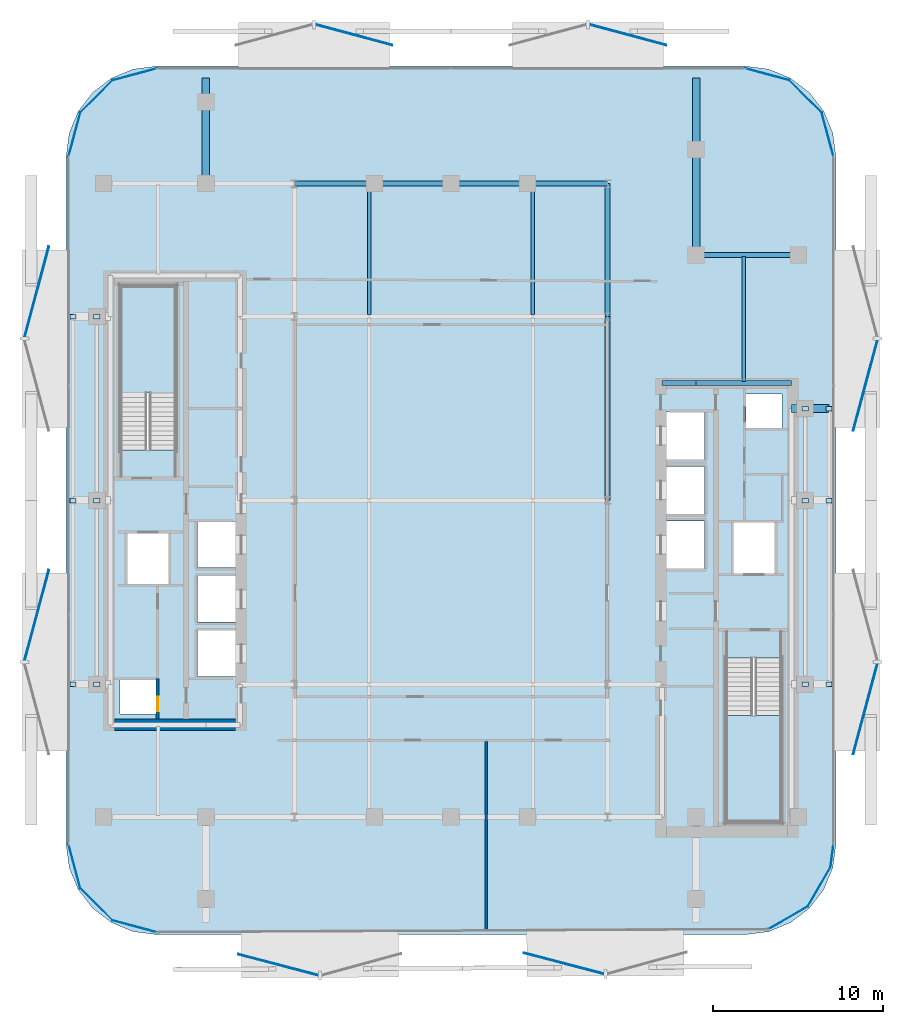
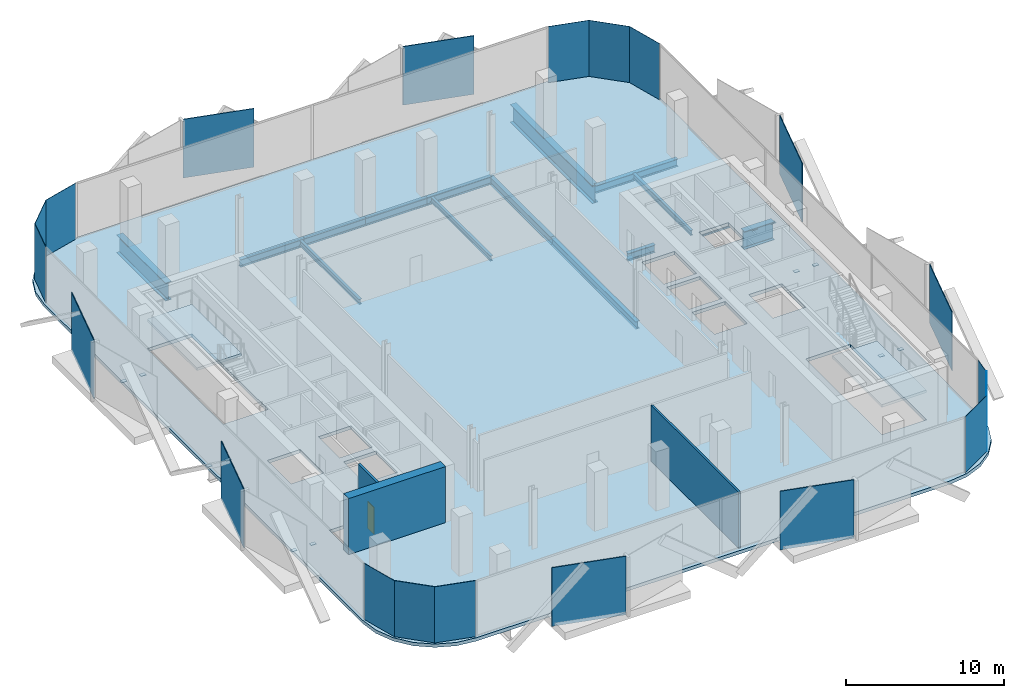
# One storey, part 2 of 14: 32 plates, 15 beams, 3 slabs, 3 walls, 1 door, 1 opening, 2 elements without a shape of their own.
"""IFC4 building model written with IfcOpenShell, lengths in metres."""

from ifc_helpers import new_model, si_unit, direction, frame, frame_2d, origin, origin_2d, place, context, subcontext, project, spatial, polyline, rectangle, i_section, outline, extrude, material, layer, layer_set, material_profile, profile_set, type_object, element, fill, aggregate, save


model = new_model("IFC4")

# Units and contexts
model_context = context("Model", 3, precision=1e-05, world=origin(), true_north=direction((0.0, 1.0)))
body_context = subcontext(model_context, "Body", "Model", "MODEL_VIEW")
ifc_project = project(units=[si_unit("LENGTHUNIT", "METRE"), si_unit("AREAUNIT", "SQUARE_METRE"), si_unit("VOLUMEUNIT", "CUBIC_METRE"), si_unit("PLANEANGLEUNIT", "RADIAN"), si_unit("MASSUNIT", "GRAM", prefix="KILO")], contexts=[model_context])

# Site, building, storey
site_placement = place(None, origin())
site = spatial("IfcSite", under=ifc_project, at=site_placement, CompositionType="ELEMENT")
building_placement = place(site_placement, origin())
building = spatial("IfcBuilding", under=site, at=building_placement, Name="Khairoan Windgate Tower", CompositionType="ELEMENT")
storey_placement = place(building_placement, frame((0.0, 0.0, 160.39990234375)))
storey = spatial("IfcBuildingStorey", under=building, at=storey_placement, Name="L36", CompositionType="ELEMENT", Elevation=160.39990234375)

# Beams
ifc_material_1 = material(Name="Steel S355", Category="steel")
ifc_material_profile_1 = material_profile(ifc_material_1, i_section(OverallWidth=0.300048828125, OverallDepth=0.587890625, WebThickness=0.011962890625, FlangeThickness=0.02001953125, FilletRadius=0.02392578125, at=origin_2d()))
ifc_profile_set_1 = profile_set([ifc_material_profile_1], Name="Steel S355")
beam_type_1 = type_object("IfcBeamType", Name="Beam B-G4 H588x300x12x20", PredefinedType="BEAM", material=ifc_profile_set_1)
beam_1_placement = place(storey_placement, frame((12.39990234375, 6.89990234375, -0.553955078125), z_axis=(1.0, 0.0, 0.0), x_axis=(0.0, 1.0, 0.0)))
element("IfcBeam", 1, at=beam_1_placement, inside=storey, type_object=beam_type_1, Name="L36 E-W Primary Girder 15", PredefinedType="BEAM", context=body_context, shape_type="SweptSolid", body=[
    extrude(i_section(OverallWidth=0.300048828125, OverallDepth=0.587890625, WebThickness=0.011962890625, FlangeThickness=0.02001953125, FilletRadius=0.02392578125, at=origin_2d()), origin(), (0.0, 0.0, 1.0), 2.0),
])
beam_2_placement = place(storey_placement, frame((14.39990234375, 6.89990234375, -0.553955078125), z_axis=(1.0, 0.0, 0.0), x_axis=(0.0, 1.0, 0.0)))
element("IfcBeam", 2, at=beam_2_placement, inside=storey, type_object=beam_type_1, Name="L36 E-W Primary Girder 16", PredefinedType="BEAM", context=body_context, shape_type="SweptSolid", body=[
    extrude(i_section(OverallWidth=0.300048828125, OverallDepth=0.587890625, WebThickness=0.011962890625, FlangeThickness=0.02001953125, FilletRadius=0.02392578125, at=origin_2d()), origin(), (0.0, 0.0, 1.0), 5.60009765625),
])
beam_3_placement = place(storey_placement, frame((14.39990234375, 14.39990234375, -0.553955078125), z_axis=(1.0, 0.0, 0.0), x_axis=(0.0, 1.0, 0.0)))
element("IfcBeam", 3, at=beam_3_placement, inside=storey, type_object=beam_type_1, Name="L36 E-W Primary Girder 21", PredefinedType="BEAM", context=body_context, shape_type="SweptSolid", body=[
    extrude(i_section(OverallWidth=0.300048828125, OverallDepth=0.587890625, WebThickness=0.011962890625, FlangeThickness=0.02001953125, FilletRadius=0.02392578125, at=origin_2d()), origin(), (0.0, 0.0, 1.0), 6.0),
])
beam_4_placement = place(storey_placement, frame((-9.199951171875, 18.60009765625, -0.553955078125), z_axis=(1.0, 0.0, 0.0), x_axis=(0.0, 1.0, 0.0)))
element("IfcBeam", 4, at=beam_4_placement, inside=storey, type_object=beam_type_1, Name="L36 E-W Primary Girder 24", PredefinedType="BEAM", context=body_context, shape_type="SweptSolid", body=[
    extrude(i_section(OverallWidth=0.300048828125, OverallDepth=0.587890625, WebThickness=0.011962890625, FlangeThickness=0.02001953125, FilletRadius=0.02392578125, at=origin_2d()), origin(), (0.0, 0.0, 1.0), 4.699951171875),
])
for number, where, z_axis, x_axis, name in (
    (5, (-4.5, 18.60009765625, -0.553955078125), (1.0, 0.0, 0.0), (0.0, 1.0, 0.0), "L36 E-W Primary Girder 25"),
    (6, (0.0, 18.60009765625, -0.553955078125), (1.0, 0.0, 0.0), (0.0, 1.0, 0.0), "L36 E-W Primary Girder 26"),
):
    element("IfcBeam", number, at=place(storey_placement, frame(where, z_axis=z_axis, x_axis=x_axis)), inside=storey, type_object=beam_type_1, Name=name, PredefinedType="BEAM", context=body_context, shape_type="SweptSolid", body=[
        extrude(i_section(OverallWidth=0.300048828125, OverallDepth=0.587890625, WebThickness=0.011962890625, FlangeThickness=0.02001953125, FilletRadius=0.02392578125, at=origin_2d()), origin(), (0.0, 0.0, 1.0), 4.5),
    ])
beam_5_placement = place(storey_placement, frame((4.5, 18.60009765625, -0.553955078125), z_axis=(1.0, 0.0, 0.0), x_axis=(0.0, 1.0, 0.0)))
element("IfcBeam", 7, at=beam_5_placement, inside=storey, type_object=beam_type_1, Name="L36 E-W Primary Girder 27", PredefinedType="BEAM", context=body_context, shape_type="SweptSolid", body=[
    extrude(i_section(OverallWidth=0.300048828125, OverallDepth=0.587890625, WebThickness=0.011962890625, FlangeThickness=0.02001953125, FilletRadius=0.02392578125, at=origin_2d()), origin(), (0.0, 0.0, 1.0), 4.699951171875),
])
beam_6_placement = place(storey_placement, frame((9.199951171875, 0.0, -0.553955078125), z_axis=(0.0, 1.0, 0.0), x_axis=(-1.0, 0.0, 0.0)))
element("IfcBeam", 8, at=beam_6_placement, inside=storey, type_object=beam_type_1, Name="L36 N-S Primary Beam 45", PredefinedType="BEAM", context=body_context, shape_type="SweptSolid", body=[
    extrude(i_section(OverallWidth=0.300048828125, OverallDepth=0.587890625, WebThickness=0.011962890625, FlangeThickness=0.02001953125, FilletRadius=0.02392578125, at=origin_2d()), origin(), (0.0, 0.0, 1.0), 10.800048828125),
])
beam_7_placement = place(storey_placement, frame((9.199951171875, 10.800048828125, -0.553955078125), z_axis=(0.0, 1.0, 0.0), x_axis=(-1.0, 0.0, 0.0)))
element("IfcBeam", 9, at=beam_7_placement, inside=storey, type_object=beam_type_1, Name="L36 N-S Primary Beam 46", PredefinedType="BEAM", context=body_context, shape_type="SweptSolid", body=[
    extrude(i_section(OverallWidth=0.300048828125, OverallDepth=0.587890625, WebThickness=0.011962890625, FlangeThickness=0.02001953125, FilletRadius=0.02392578125, at=origin_2d()), origin(), (0.0, 0.0, 1.0), 7.800048828125),
])
ifc_material_2 = material(Name="Steel S355", Category="steel")
ifc_material_profile_2 = material_profile(ifc_material_2, i_section(OverallWidth=0.199951171875, OverallDepth=0.39990234375, WebThickness=0.008056640625, FlangeThickness=0.012939453125, FilletRadius=0.01611328125, at=origin_2d()))
ifc_profile_set_2 = profile_set([ifc_material_profile_2], Name="Steel S355")
beam_type_2 = type_object("IfcBeamType", Name="Beam J-S4 H400x200x8x13", PredefinedType="JOIST", material=ifc_profile_set_2)
for number, where, z_axis, x_axis, name in (
    (10, (-4.800048828125, 10.889892578125, -0.4599609375), (0.0, 1.0, 0.0), (-1.0, 0.0, 0.0), "L36 Secondary Floor Joist 06"),
    (11, (4.800048828125, 10.889892578125, -0.4599609375), (0.0, 1.0, 0.0), (-1.0, 0.0, 0.0), "L36 Secondary Floor Joist 10"),
):
    element("IfcBeam", number, at=place(storey_placement, frame(where, z_axis=z_axis, x_axis=x_axis)), inside=storey, type_object=beam_type_2, Name=name, PredefinedType="JOIST", context=body_context, shape_type="SweptSolid", body=[
        extrude(i_section(OverallWidth=0.199951171875, OverallDepth=0.39990234375, WebThickness=0.008056640625, FlangeThickness=0.012939453125, FilletRadius=0.01611328125, at=origin_2d()), origin(), (0.0, 0.0, 1.0), 7.6201171875),
    ])
beam_8_placement = place(storey_placement, frame((17.199951171875, 6.989990234375, -0.4599609375), z_axis=(0.0, 1.0, 0.0), x_axis=(-1.0, 0.0, 0.0)))
element("IfcBeam", 12, at=beam_8_placement, inside=storey, type_object=beam_type_2, Name="L36 Secondary Floor Joist 11", PredefinedType="JOIST", context=body_context, shape_type="SweptSolid", body=[
    extrude(i_section(OverallWidth=0.199951171875, OverallDepth=0.39990234375, WebThickness=0.008056640625, FlangeThickness=0.012939453125, FilletRadius=0.01611328125, at=origin_2d()), origin(), (0.0, 0.0, 1.0), 7.320068359375),
])
ifc_material_3 = material(Name="Steel S355", Category="steel")
ifc_material_profile_3 = material_profile(ifc_material_3, i_section(OverallWidth=0.449951171875, OverallDepth=1.39990234375, WebThickness=0.02392578125, FlangeThickness=0.0400390625, FilletRadius=0.02392578125, at=origin_2d()))
ifc_profile_set_3 = profile_set([ifc_material_profile_3], Name="Steel S355")
beam_type_3 = type_object("IfcBeamType", Name="Setback Transfer Girder STG1 PG1400x450x24x40", PredefinedType="BEAM", material=ifc_profile_set_3)
beam_9_placement = place(storey_placement, frame((20.0, 5.39990234375, -0.9599609375), z_axis=(1.0, 0.0, 0.0), x_axis=(0.0, 1.0, 0.0)))
element("IfcBeam", 13, at=beam_9_placement, inside=storey, type_object=beam_type_3, Name="Zone-3 Setback Transfer Girder STG1-06", PredefinedType="BEAM", context=body_context, shape_type="SweptSolid", body=[
    extrude(i_section(OverallWidth=0.449951171875, OverallDepth=1.39990234375, WebThickness=0.02392578125, FlangeThickness=0.0400390625, FilletRadius=0.02392578125, at=origin_2d()), origin(), (0.0, 0.0, 1.0), 2.199951171875),
])
beam_10_placement = place(storey_placement, frame((-14.39990234375, 18.60009765625, -0.9599609375), z_axis=(0.0, 1.0, 0.0), x_axis=(-1.0, 0.0, 0.0)))
element("IfcBeam", 14, at=beam_10_placement, inside=storey, type_object=beam_type_3, Name="Zone-3 Setback Transfer Girder STG1-08", PredefinedType="BEAM", context=body_context, shape_type="SweptSolid", body=[
    extrude(i_section(OverallWidth=0.449951171875, OverallDepth=1.39990234375, WebThickness=0.02392578125, FlangeThickness=0.0400390625, FilletRadius=0.02392578125, at=origin_2d()), origin(), (0.0, 0.0, 1.0), 6.199951171875),
])
beam_11_placement = place(storey_placement, frame((14.39990234375, 14.39990234375, -0.9599609375), z_axis=(0.0, 1.0, 0.0), x_axis=(-1.0, 0.0, 0.0)))
element("IfcBeam", 15, at=beam_11_placement, inside=storey, type_object=beam_type_3, Name="Zone-3 Setback Transfer Girder STG1-10", PredefinedType="BEAM", context=body_context, shape_type="SweptSolid", body=[
    extrude(i_section(OverallWidth=0.449951171875, OverallDepth=1.39990234375, WebThickness=0.02392578125, FlangeThickness=0.0400390625, FilletRadius=0.02392578125, at=origin_2d()), origin(), (0.0, 0.0, 1.0), 10.400146484375),
])

# Plates
ifc_material_4 = material(Name="Low-E Solar Control Laminated Glass", Category="glass")
ifc_layer_1 = layer(ifc_material_4, 0.030029296875, Name="Low-E Solar Control Laminated Glass")
ifc_layer_set_1 = layer_set([ifc_layer_1], Name="Low-E Solar Control Laminated Glass")
plate_type_1 = type_object("IfcPlateType", Name="Aerodynamic Wind-Corner Curved Glazing Plate", PredefinedType="USERDEFINED", material=ifc_layer_set_1)
plate_1_placement = place(storey_placement, frame((-18.585205078125, -25.013916015625, 0.0), z_axis=(0.0, 0.0, 1.0), x_axis=(-0.966061211211, 0.258313252067, 0.0)))
element("IfcPlate", 16, at=plate_1_placement, inside=storey, type_object=plate_type_1, Name="L36 Aerodynamic Wind-Corner Curved Glazing Panel 2", ObjectType="GLAZING PANEL", PredefinedType="USERDEFINED", context=body_context, shape_type="SweptSolid", body=[
    extrude(rectangle(XDim=2.719482421875, YDim=0.030029296875, at=origin_2d()), origin(), (0.0, 0.0, 1.0), 4.340087890625),
])
plate_2_placement = place(storey_placement, frame((-20.823486328125, -23.723388671875, 0.0), z_axis=(0.0, 0.0, 1.0), x_axis=(-0.707106781187, 0.707106781187, 0.0)))
element("IfcPlate", 17, at=plate_2_placement, inside=storey, type_object=plate_type_1, Name="L36 Aerodynamic Wind-Corner Curved Glazing Panel 3", ObjectType="GLAZING PANEL", PredefinedType="USERDEFINED", context=body_context, shape_type="SweptSolid", body=[
    extrude(rectangle(XDim=2.710205078125, YDim=0.030029296875, at=origin_2d()), origin(), (0.0, 0.0, 1.0), 4.340087890625),
])
for number, where, z_axis, x_axis, name in (
    (18, (-22.11376953125, -21.485107421875, 0.0), (0.0, 0.0, 1.0), (-0.258313252067, 0.966061211211, 0.0), "L36 Aerodynamic Wind-Corner Curved Glazing Panel 4"),
    (19, (-22.11376953125, 21.485107421875, 0.0), (0.0, 0.0, 1.0), (0.258313252067, 0.966061211211, 0.0), "L36 Aerodynamic Wind-Corner Curved Glazing Panel 6"),
):
    element("IfcPlate", number, at=place(storey_placement, frame(where, z_axis=z_axis, x_axis=x_axis)), inside=storey, type_object=plate_type_1, Name=name, ObjectType="GLAZING PANEL", PredefinedType="USERDEFINED", context=body_context, shape_type="SweptSolid", body=[
        extrude(rectangle(XDim=2.719482421875, YDim=0.030029296875, at=origin_2d()), origin(), (0.0, 0.0, 1.0), 4.340087890625),
    ])
plate_3_placement = place(storey_placement, frame((-20.823486328125, 23.723388671875, 0.0), z_axis=(0.0, 0.0, 1.0), x_axis=(0.707106781187, 0.707106781187, 0.0)))
element("IfcPlate", 20, at=plate_3_placement, inside=storey, type_object=plate_type_1, Name="L36 Aerodynamic Wind-Corner Curved Glazing Panel 7", ObjectType="GLAZING PANEL", PredefinedType="USERDEFINED", context=body_context, shape_type="SweptSolid", body=[
    extrude(rectangle(XDim=2.710205078125, YDim=0.030029296875, at=origin_2d()), origin(), (0.0, 0.0, 1.0), 4.340087890625),
])
for number, where, z_axis, x_axis, name in (
    (21, (-18.585205078125, 25.013916015625, 0.0), (0.0, 0.0, 1.0), (0.966061211211, 0.258313252067, 0.0), "L36 Aerodynamic Wind-Corner Curved Glazing Panel 8"),
    (22, (18.585205078125, 25.013916015625, 0.0), (0.0, 0.0, 1.0), (0.966061211211, -0.258313252067, 0.0), "L36 Aerodynamic Wind-Corner Curved Glazing Panel 10"),
):
    element("IfcPlate", number, at=place(storey_placement, frame(where, z_axis=z_axis, x_axis=x_axis)), inside=storey, type_object=plate_type_1, Name=name, ObjectType="GLAZING PANEL", PredefinedType="USERDEFINED", context=body_context, shape_type="SweptSolid", body=[
        extrude(rectangle(XDim=2.719482421875, YDim=0.030029296875, at=origin_2d()), origin(), (0.0, 0.0, 1.0), 4.340087890625),
    ])
plate_4_placement = place(storey_placement, frame((20.823486328125, 23.723388671875, 0.0), z_axis=(0.0, 0.0, 1.0), x_axis=(0.707106781187, -0.707106781187, 0.0)))
element("IfcPlate", 23, at=plate_4_placement, inside=storey, type_object=plate_type_1, Name="L36 Aerodynamic Wind-Corner Curved Glazing Panel 11", ObjectType="GLAZING PANEL", PredefinedType="USERDEFINED", context=body_context, shape_type="SweptSolid", body=[
    extrude(rectangle(XDim=2.710205078125, YDim=0.030029296875, at=origin_2d()), origin(), (0.0, 0.0, 1.0), 4.340087890625),
])
plate_5_placement = place(storey_placement, frame((22.11376953125, 21.485107421875, 0.0), z_axis=(0.0, 0.0, 1.0), x_axis=(0.258313252067, -0.966061211211, 0.0)))
element("IfcPlate", 24, at=plate_5_placement, inside=storey, type_object=plate_type_1, Name="L36 Aerodynamic Wind-Corner Curved Glazing Panel 12", ObjectType="GLAZING PANEL", PredefinedType="USERDEFINED", context=body_context, shape_type="SweptSolid", body=[
    extrude(rectangle(XDim=2.719482421875, YDim=0.030029296875, at=origin_2d()), origin(), (0.0, 0.0, 1.0), 4.340087890625),
])
plate_6_placement = place(storey_placement, frame((22.37158203125, -20.863037109375, 0.0), z_axis=(0.0, 0.0, 1.0), x_axis=(-0.13052619222, -0.991444861374, 0.0)))
element("IfcPlate", 25, at=plate_6_placement, inside=storey, type_object=plate_type_1, Name="L36 Aerodynamic Wind-Corner Curved Glazing Panel 14", ObjectType="GLAZING PANEL", PredefinedType="USERDEFINED", context=body_context, shape_type="SweptSolid", body=[
    extrude(rectangle(XDim=1.39599609375, YDim=0.030029296875, at=origin_2d()), origin(), (0.0, 0.0, 1.0), 4.340087890625),
])
for number, where, z_axis, x_axis, name in (
    (26, (21.615478515625, -22.69140625, 0.0), (0.0, 0.0, 1.0), (-0.5, -0.866025403784, 0.0), "L36 Aerodynamic Wind-Corner Curved Glazing Panel 15"),
    (27, (19.79150390625, -24.515380859375, 0.0), (0.0, 0.0, 1.0), (-0.866025403784, -0.5, 0.0), "L36 Aerodynamic Wind-Corner Curved Glazing Panel 16"),
):
    element("IfcPlate", number, at=place(storey_placement, frame(where, z_axis=z_axis, x_axis=x_axis)), inside=storey, type_object=plate_type_1, Name=name, ObjectType="GLAZING PANEL", PredefinedType="USERDEFINED", context=body_context, shape_type="SweptSolid", body=[
        extrude(rectangle(XDim=2.71044921875, YDim=0.030029296875, at=origin_2d()), origin(), (0.0, 0.0, 1.0), 4.340087890625),
    ])
ifc_material_5 = material(Name="Steel S355", Category="steel")
ifc_layer_2 = layer(ifc_material_5, 0.0400390625, Name="Steel S355")
ifc_layer_set_2 = layer_set([ifc_layer_2], Name="Steel S355")
plate_type_2 = type_object("IfcPlateType", Name="Hollow Section End-Cap Plate PL-CAP40", PredefinedType="SHEET", material=ifc_layer_set_2)
for number, where, z_axis, x_axis, name in (
    (28, (-22.199951171875, -10.784912109375, -0.454833984375), (0.0, 0.0, 1.0), (0.0, 1.0, 0.0), "BM-SP-L36-028 steel end-cap plate 1"),
    (29, (-22.199951171875, -0.014892578125, -0.454833984375), (0.0, 0.0, 1.0), (0.0, 1.0, 0.0), "BM-SP-L36-028 steel end-cap plate 2"),
    (30, (-22.199951171875, 10.784912109375, -0.454833984375), (0.0, 0.0, 1.0), (0.0, 1.0, 0.0), "BM-SP-L36-029 steel end-cap plate 2"),
    (31, (-20.800048828125, -10.784912109375, -0.454833984375), (0.0, 0.0, 1.0), (0.0, 1.0, 0.0), "BM-SP-L36-030 steel end-cap plate 1"),
    (32, (-20.800048828125, -0.014892578125, -0.454833984375), (0.0, 0.0, 1.0), (0.0, 1.0, 0.0), "BM-SP-L36-030 steel end-cap plate 2"),
    (33, (-20.800048828125, 10.784912109375, -0.454833984375), (0.0, 0.0, 1.0), (0.0, 1.0, 0.0), "BM-SP-L36-031 steel end-cap plate 2"),
    (34, (20.800048828125, -10.784912109375, -0.454833984375), (0.0, 0.0, 1.0), (0.0, 1.0, 0.0), "BM-SP-L36-051 steel end-cap plate 1"),
    (35, (20.800048828125, -0.014892578125, -0.454833984375), (0.0, 0.0, 1.0), (0.0, 1.0, 0.0), "BM-SP-L36-051 steel end-cap plate 2"),
    (36, (20.800048828125, 5.385009765625, -0.454833984375), (0.0, 0.0, 1.0), (0.0, 1.0, 0.0), "BM-SP-L36-052 steel end-cap plate 2"),
    (37, (22.199951171875, -10.784912109375, -0.454833984375), (0.0, 0.0, 1.0), (0.0, 1.0, 0.0), "BM-SP-L36-053 steel end-cap plate 1"),
    (38, (22.199951171875, -0.014892578125, -0.454833984375), (0.0, 0.0, 1.0), (0.0, 1.0, 0.0), "BM-SP-L36-053 steel end-cap plate 2"),
    (39, (22.199951171875, 5.385009765625, -0.454833984375), (0.0, 0.0, 1.0), (0.0, 1.0, 0.0), "BM-SP-L36-054 steel end-cap plate 2"),
):
    element("IfcPlate", number, at=place(storey_placement, frame(where, z_axis=z_axis, x_axis=x_axis)), inside=storey, type_object=plate_type_2, Name=name, PredefinedType="SHEET", context=body_context, shape_type="SweptSolid", body=[
        extrude(rectangle(XDim=0.27001953125, YDim=0.3701171875, at=origin_2d()), origin(), (0.0, 0.0, 1.0), 0.0400390625),
    ])
ifc_material_6 = material(Name="Anodised Bronze Aluminium 6063-T6", Category="aluminium")
ifc_layer_3 = layer(ifc_material_6, 0.054931640625, Name="Anodised Bronze Aluminium 6063-T6")
ifc_layer_set_3 = layer_set([ifc_layer_3], Name="Anodised Bronze Aluminium 6063-T6")
plate_type_3 = type_object("IfcPlateType", Name="Perforated Bronze Solar Screen Panel BSP-1", PredefinedType="USERDEFINED", material=ifc_layer_set_3)
for number, where, z_axis, x_axis, name in (
    (40, (6.625732421875, -27.193115234375, -0.099853515625), (0.0, 0.0, 1.0), (-0.967179115616, 0.254095569259, 0.0), "L36 Perforated Bronze Solar Screen Panel 225R"),
    (41, (-10.13720703125, -27.275634765625, -0.099853515625), (0.0, 0.0, 1.0), (-0.967179115616, 0.254095569259, 0.0), "L36 Perforated Bronze Solar Screen Panel 226R"),
):
    element("IfcPlate", number, at=place(storey_placement, frame(where, z_axis=z_axis, x_axis=x_axis)), inside=storey, type_object=plate_type_3, Name=name, ObjectType="SCREEN", PredefinedType="USERDEFINED", context=body_context, shape_type="SweptSolid", body=[
        extrude(rectangle(XDim=4.861083984375, YDim=0.054931640625, at=origin_2d()), origin(), (0.0, 0.0, 1.0), 4.5400390625),
    ])
for number, where, z_axis, x_axis, name in (
    (42, (-24.327392578125, -6.74560546875, -0.099853515625), (0.0, 0.0, 1.0), (0.258819045103, 0.965925826289, 0.0), "L36 Perforated Bronze Solar Screen Panel 227R"),
    (43, (-24.327392578125, 12.2451171875, -0.099853515625), (0.0, 0.0, 1.0), (0.258819045103, 0.965925826289, 0.0), "L36 Perforated Bronze Solar Screen Panel 228R"),
):
    element("IfcPlate", number, at=place(storey_placement, frame(where, z_axis=z_axis, x_axis=x_axis)), inside=storey, type_object=plate_type_3, Name=name, ObjectType="SCREEN", PredefinedType="USERDEFINED", context=body_context, shape_type="SweptSolid", body=[
        extrude(rectangle(XDim=5.507080078125, YDim=0.054931640625, at=origin_2d()), origin(), (0.0, 0.0, 1.0), 4.5400390625),
    ])
for number, where, z_axis, x_axis, name in (
    (44, (-5.701904296875, 27.336181640625, -0.099853515625), (0.0, 0.0, 1.0), (0.965925826289, -0.258819045103, 0.0), "L36 Perforated Bronze Solar Screen Panel 229R"),
    (45, (10.388916015625, 27.336181640625, -0.099853515625), (0.0, 0.0, 1.0), (0.965925826289, -0.258819045103, 0.0), "L36 Perforated Bronze Solar Screen Panel 230R"),
):
    element("IfcPlate", number, at=place(storey_placement, frame(where, z_axis=z_axis, x_axis=x_axis)), inside=storey, type_object=plate_type_3, Name=name, ObjectType="SCREEN", PredefinedType="USERDEFINED", context=body_context, shape_type="SweptSolid", body=[
        extrude(rectangle(XDim=4.666015625, YDim=0.054931640625, at=origin_2d()), origin(), (0.0, 0.0, 1.0), 4.5400390625),
    ])
for number, where, z_axis, x_axis, name in (
    (46, (24.327392578125, 6.74560546875, -0.099853515625), (0.0, 0.0, 1.0), (-0.258819045103, -0.965925826289, 0.0), "L36 Perforated Bronze Solar Screen Panel 231R"),
    (47, (24.327392578125, -12.2451171875, -0.099853515625), (0.0, 0.0, 1.0), (-0.258819045103, -0.965925826289, 0.0), "L36 Perforated Bronze Solar Screen Panel 232R"),
):
    element("IfcPlate", number, at=place(storey_placement, frame(where, z_axis=z_axis, x_axis=x_axis)), inside=storey, type_object=plate_type_3, Name=name, ObjectType="SCREEN", PredefinedType="USERDEFINED", context=body_context, shape_type="SweptSolid", body=[
        extrude(rectangle(XDim=5.507080078125, YDim=0.054931640625, at=origin_2d()), origin(), (0.0, 0.0, 1.0), 4.5400390625),
    ])

# Stair, slab
ifc_material_7 = material(Name="Concrete C40/50", Category="concrete")
stair_type = type_object("IfcStairType", Name="Tower Core Dog-Leg Stair ST-T1 1560mm", PredefinedType="HALF_TURN_STAIR", material=ifc_material_7)
stair_1_placement = place(storey_placement, origin())
stair_1 = element("IfcStair", 48, at=stair_1_placement, inside=storey, type_object=stair_type, Name="L36 Stair ST1", PredefinedType="HALF_TURN_STAIR")
ifc_material_8 = material(Name="Concrete C40/50", Category="concrete")
ifc_layer_4 = layer(ifc_material_8, 0.199951171875, Name="Concrete C40/50")
ifc_layer_set_4 = layer_set([ifc_layer_4], Name="Concrete C40/50")
slab_type_1 = type_object("IfcSlabType", Name="Reinforced Concrete Stair Landing Slab STL-200", PredefinedType="LANDING", material=ifc_layer_set_4)
slab_1_placement = place(storey_placement, frame((0.0, 0.0, 2.10009765625)))
slab_1 = element("IfcSlab", 49, at=slab_1_placement, type_object=slab_type_1, Name="ST1 landing 1", PredefinedType="LANDING", context=body_context, shape_type="SweptSolid", body=[
    extrude(outline(polyline([(16.14990234375, -12.6201171875), (16.14990234375, -18.89990234375), (19.419921875, -18.89990234375), (19.419921875, -12.6201171875), (16.14990234375, -12.6201171875)])), origin(), (0.0, 0.0, 1.0), 0.199951171875),
])
aggregate(stair_1, [slab_1])

stair_2_placement = place(storey_placement, origin())
stair_2 = element("IfcStair", 50, at=stair_2_placement, inside=storey, type_object=stair_type, Name="L36 Stair ST2", PredefinedType="HALF_TURN_STAIR")
slab_2_placement = place(storey_placement, frame((0.0, 0.0, 2.10009765625)))
slab_2 = element("IfcSlab", 51, at=slab_2_placement, type_object=slab_type_1, Name="ST2 landing 1", PredefinedType="LANDING", context=body_context, shape_type="SweptSolid", body=[
    extrude(outline(polyline([(-16.14990234375, 6.320068359375), (-16.14990234375, 12.60009765625), (-19.419921875, 12.60009765625), (-19.419921875, 6.320068359375), (-16.14990234375, 6.320068359375)])), origin(), (0.0, 0.0, 1.0), 0.199951171875),
])
aggregate(stair_2, [slab_2])

# Slab
ifc_material_9 = material(Name="Concrete C40/50", Category="concrete")
ifc_layer_5 = layer(ifc_material_9, 0.260009765625, Name="Concrete C40/50")
ifc_layer_set_5 = layer_set([ifc_layer_5], Name="Concrete C40/50")
slab_type_2 = type_object("IfcSlabType", Name="Tower Composite Floor Slab FS2 260mm", PredefinedType="FLOOR", material=ifc_layer_set_5)
slab_3_placement = place(storey_placement, frame((0.0, 0.0, -0.260009765625)))
element("IfcSlab", 52, at=slab_3_placement, inside=storey, type_object=slab_type_2, Name="L36 Structural Floor Slab", PredefinedType="FLOOR", context=body_context, shape_type="SweptSolid", body=[
    extrude(outline(polyline([(17.300048828125, -25.5), (18.671630859375, -25.3193359375), (19.949951171875, -24.789794921875), (21.047607421875, -23.94775390625), (21.889892578125, -22.85009765625), (22.41943359375, -21.57177734375), (22.60009765625, -20.199951171875), (22.60009765625, 20.199951171875), (22.41943359375, 21.57177734375), (21.889892578125, 22.85009765625), (21.047607421875, 23.94775390625), (19.949951171875, 24.789794921875), (18.671630859375, 25.3193359375), (17.300048828125, 25.5), (-17.300048828125, 25.5), (-18.671630859375, 25.3193359375), (-19.949951171875, 24.789794921875), (-21.047607421875, 23.94775390625), (-21.889892578125, 22.85009765625), (-22.41943359375, 21.57177734375), (-22.60009765625, 20.199951171875), (-22.60009765625, -20.199951171875), (-22.41943359375, -21.57177734375), (-21.889892578125, -22.85009765625), (-21.047607421875, -23.94775390625), (-19.949951171875, -24.789794921875), (-18.671630859375, -25.3193359375), (-17.300048828125, -25.5), (17.300048828125, -25.5)]), holes=[polyline([(16.14990234375, -9.260009765625), (16.14990234375, -18.89990234375), (19.419921875, -18.89990234375), (19.419921875, -9.260009765625), (16.14990234375, -9.260009765625)]), polyline([(-16.14990234375, 2.9599609375), (-16.14990234375, 12.60009765625), (-19.419921875, 12.60009765625), (-19.419921875, 2.9599609375), (-16.14990234375, 2.9599609375)]), polyline([(-14.89990234375, -3.949951171875), (-12.5, -3.949951171875), (-12.5, -1.25), (-14.89990234375, -1.25), (-14.89990234375, -3.949951171875)]), polyline([(-14.89990234375, -7.14990234375), (-12.5, -7.14990234375), (-12.5, -4.449951171875), (-14.89990234375, -4.449951171875), (-14.89990234375, -7.14990234375)]), polyline([(-14.89990234375, -10.35009765625), (-12.5, -10.35009765625), (-12.5, -7.64990234375), (-14.89990234375, -7.64990234375), (-14.89990234375, -10.35009765625)]), polyline([(12.5, 2.39990234375), (14.89990234375, 2.39990234375), (14.89990234375, 5.199951171875), (12.5, 5.199951171875), (12.5, 2.39990234375)]), polyline([(12.5, -0.800048828125), (14.89990234375, -0.800048828125), (14.89990234375, 2.0), (12.5, 2.0), (12.5, -0.800048828125)]), polyline([(12.5, -4.0), (14.89990234375, -4.0), (14.89990234375, -1.199951171875), (12.5, -1.199951171875), (12.5, -4.0)]), polyline([(16.60009765625, -4.300048828125), (19.0, -4.300048828125), (19.0, -1.300048828125), (16.60009765625, -1.300048828125), (16.60009765625, -4.300048828125)]), polyline([(-19.0, -4.89990234375), (-16.60009765625, -4.89990234375), (-16.60009765625, -1.89990234375), (-19.0, -1.89990234375), (-19.0, -4.89990234375)]), polyline([(-19.449951171875, -12.550048828125), (-17.31005859375, -12.550048828125), (-17.31005859375, -10.550048828125), (-19.449951171875, -10.550048828125), (-19.449951171875, -12.550048828125)]), polyline([(17.31005859375, 4.25), (19.449951171875, 4.25), (19.449951171875, 6.25), (17.31005859375, 6.25), (17.31005859375, 4.25)])]), origin(), (0.0, 0.0, 1.0), 0.260009765625),
])

# Wall
ifc_material_10 = material(Name="Acoustic Fire-Rated Gypsum Partition", Category="gypsum")
ifc_layer_6 = layer(ifc_material_10, 0.139892578125, Name="Acoustic Fire-Rated Gypsum Partition")
ifc_layer_set_6 = layer_set([ifc_layer_6], Name="Acoustic Fire-Rated Gypsum Partition")
wall_type_1 = type_object("IfcWallType", Name="Inter-Tenancy Compartment Wall", PredefinedType="PARTITIONING", material=ifc_layer_set_6)
wall_1_placement = place(storey_placement, frame((2.080078125, -25.259521484375, 0.0), z_axis=(0.0, 0.0, 1.0), x_axis=(0.0, 1.0, 0.0)))
element("IfcWall", 53, at=wall_1_placement, inside=storey, type_object=wall_type_1, Name="L36 Interior Partition 020", PredefinedType="PARTITIONING", context=body_context, shape_type="SweptSolid", body=[
    extrude(rectangle(XDim=11.1044921875, YDim=0.139892578125, at=frame_2d((5.55224609375, 0.0))), origin(), (0.0, 0.0, 1.0), 4.340087890625),
])

# Wall, opening, door
ifc_material_11 = material(Name="Concrete C40/50", Category="concrete")
ifc_layer_7 = layer(ifc_material_11, 0.159912109375, Name="Concrete C40/50")
ifc_layer_set_7 = layer_set([ifc_layer_7], Name="Concrete C40/50")
wall_type_2 = type_object("IfcWallType", Name="Plant and Refuge Compartment Wall", PredefinedType="PARTITIONING", material=ifc_layer_set_7)
wall_2_placement = place(storey_placement, frame((-17.22998046875, -12.85009765625, 0.0), z_axis=(0.0, 0.0, 1.0), x_axis=(0.0, 1.0, 0.0)))
wall_2 = element("IfcWall", 54, at=wall_2_placement, inside=storey, type_object=wall_type_2, Name="L36 Interior Partition 001", PredefinedType="PARTITIONING", context=body_context, shape_type="SweptSolid", body=[
    extrude(rectangle(XDim=2.380126953125, YDim=0.159912109375, at=frame_2d((1.18994140625, 0.0))), origin(), (0.0, 0.0, 1.0), 4.340087890625),
])
opening_placement = place(wall_2_placement, frame((0.4599609375, 0.0, 0.0)))
opening = element("IfcOpeningElement", 55, at=opening_placement, cuts=wall_2, Name="Opening FD-SRV", PredefinedType="OPENING", context=body_context, shape_type="SweptSolid", body=[
    extrude(rectangle(XDim=0.85009765625, YDim=2.10009765625, at=frame_2d((0.425048828125, 1.050048828125))), frame((0.0, 0.08984375, 0.0), z_axis=(0.0, -1.0, 0.0), x_axis=(1.0, 0.0, 0.0)), (0.0, 0.0, 1.0), 0.179931640625),
])
ifc_material_12 = material(Name="Steel S355", Category="steel")
door_type = type_object("IfcDoorType", Name="Core Service and Riser Fire Door FD-SRV 850x2100", OperationType="NOTDEFINED", PredefinedType="DOOR", material=ifc_material_12)
door_placement = place(opening_placement, origin())
door = element("IfcDoor", 56, at=door_placement, inside=storey, type_object=door_type, Name="L36 L36-04-L36-05 Door", OperationType="SINGLE_SWING_LEFT", OverallHeight=2.10009765625, OverallWidth=0.85009765625, PredefinedType="DOOR", context=body_context, shape_type="SweptSolid", body=[
    extrude(rectangle(XDim=0.85009765625, YDim=2.10009765625, at=frame_2d((0.425048828125, 1.050048828125))), frame((0.0, 0.02490234375, 0.0), z_axis=(0.0, -1.0, 0.0), x_axis=(1.0, 0.0, 0.0)), (0.0, 0.0, 1.0), 0.050048828125),
])
fill(opening, door)

# Wall
ifc_material_13 = material(Name="Concrete C60/75", Category="concrete")
ifc_layer_8 = layer(ifc_material_13, 0.64990234375, Name="Concrete C60/75")
ifc_layer_set_8 = layer_set([ifc_layer_8], Name="Concrete C60/75")
wall_type_3 = type_object("IfcWallType", Name="Shear Wall CW-W2 650mm", PredefinedType="SHEAR", material=ifc_layer_set_8)
wall_3_placement = place(storey_placement, frame((-19.75, -13.175048828125, 0.0), z_axis=(0.0, 0.0, 1.0), x_axis=(1.0, 0.0, 0.0)))
element("IfcWall", 57, at=wall_3_placement, inside=storey, type_object=wall_type_3, Name="W Core South Shear Wall L36", PredefinedType="SHEAR", context=body_context, shape_type="SweptSolid", body=[
    extrude(rectangle(XDim=7.10009765625, YDim=0.64990234375, at=frame_2d((3.550048828125, 0.0))), origin(), (0.0, 0.0, 1.0), 4.340087890625),
])

save(model, "model.ifc")
